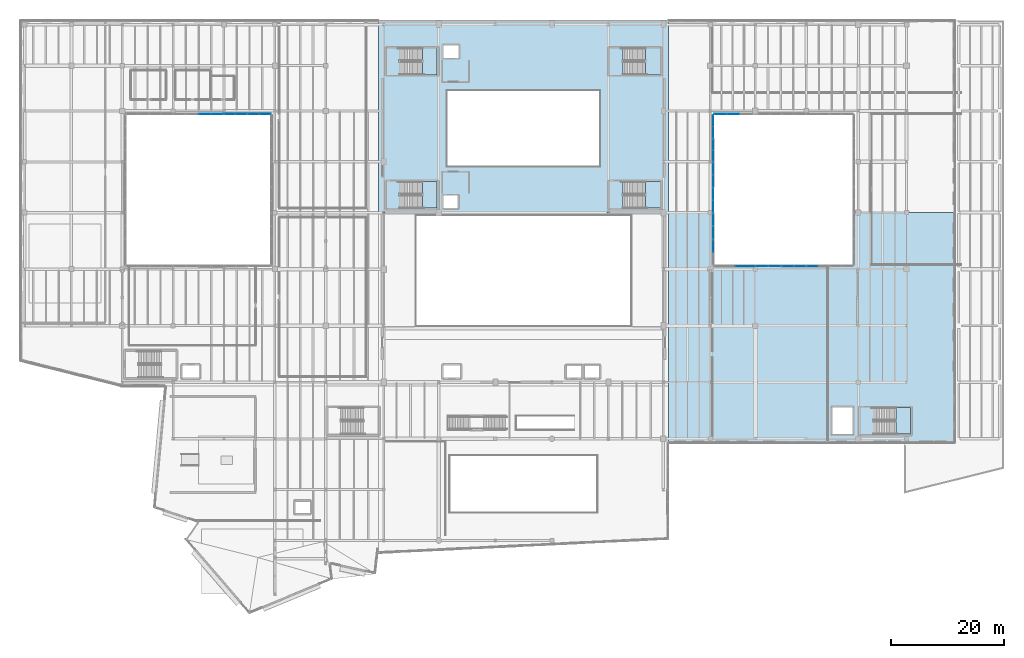
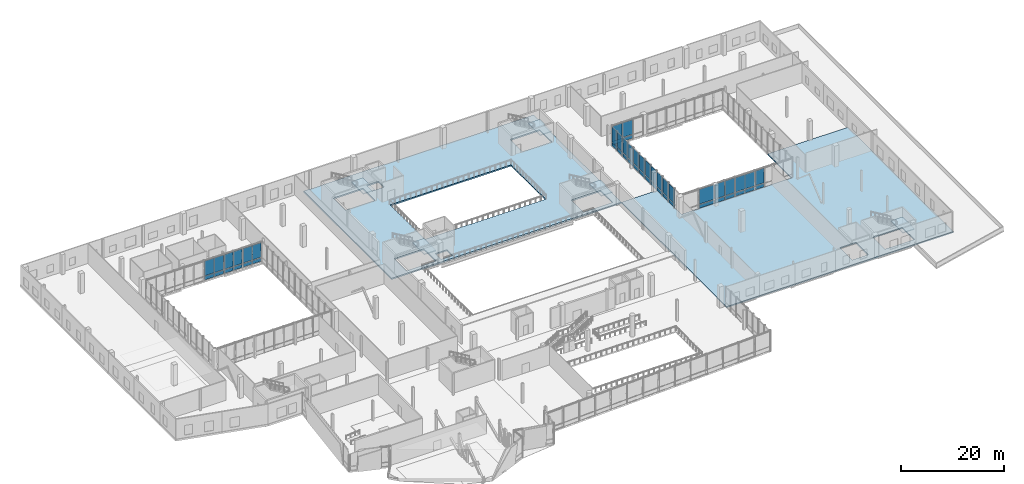
# One storey, part 49 of 73: 50 plates, 7 slabs, 19 elements without a shape of their own.
"""IFC4 building model written with IfcOpenShell, lengths in metres."""

from ifc_helpers import new_model, si_unit, direction, frame, origin, origin_2d, place, context, subcontext, project, spatial, polyline, rectangle, outline, extrude, material, layer, layer_set, type_object, element, aggregate, save


model = new_model("IFC4")

# Units and contexts
model_context = context("Model", 3, precision=1e-05, world=origin(), true_north=direction((0.0, 1.0)))
body_context = subcontext(model_context, "Body", "Model", "MODEL_VIEW")
ifc_project = project(units=[si_unit("LENGTHUNIT", "METRE"), si_unit("AREAUNIT", "SQUARE_METRE"), si_unit("VOLUMEUNIT", "CUBIC_METRE"), si_unit("PLANEANGLEUNIT", "RADIAN"), si_unit("MASSUNIT", "GRAM", prefix="KILO")], contexts=[model_context])

# Site, building, storey
site_placement = place(None, origin())
site = spatial("IfcSite", under=ifc_project, at=site_placement, CompositionType="ELEMENT")
building_placement = place(site_placement, origin())
building = spatial("IfcBuilding", under=site, at=building_placement, Name="Trimount Lyric Opera House", CompositionType="ELEMENT")
storey_placement = place(building_placement, frame((0.0, 0.0, 10.0)))
storey = spatial("IfcBuildingStorey", under=building, at=storey_placement, Name="L02", CompositionType="ELEMENT", Elevation=10.0)

# Curtain wall, plates
ifc_material_1 = material(Name="Thermally Broken Aluminium and Low-E Glass", Category="aluminium")
curtain_wall_type = type_object("IfcCurtainWallType", Name="CW-03", PredefinedType="NOTDEFINED", material=ifc_material_1)
curtain_wall_1_placement = place(storey_placement, origin())
curtain_wall_1 = element("IfcCurtainWall", 1, at=curtain_wall_1_placement, inside=storey, type_object=curtain_wall_type, Name="L02 curtain wall 210", PredefinedType="NOTDEFINED")
ifc_material_2 = material(Name="Triple Low-E Acoustic Laminated Glass", Category="glass")
ifc_layer_1 = layer(ifc_material_2, 0.035888671875)
ifc_layer_set_1 = layer_set([ifc_layer_1], Name="CWP-01")
plate_type_1 = type_object("IfcPlateType", Name="CWP-01", PredefinedType="CURTAIN_PANEL", material=ifc_layer_set_1)
plate_1_placement = place(storey_placement, frame((43.262451171875, 101.4599609375, 0.159912109375), z_axis=(0.0, 0.0, 1.0), x_axis=(-1.0, 0.0, 0.0)))
plate_1 = element("IfcPlate", 2, at=plate_1_placement, type_object=plate_type_1, Name="CW-03 panel 1.1", PredefinedType="CURTAIN_PANEL", context=body_context, shape_type="SweptSolid", body=[
    extrude(rectangle(XDim=1.97509765625, YDim=0.035888671875, at=origin_2d()), origin(), (0.0, 0.0, 1.0), 0.81005859375),
])
plate_2_placement = place(storey_placement, frame((41.217529296875, 101.4599609375, 0.159912109375), z_axis=(0.0, 0.0, 1.0), x_axis=(-1.0, 0.0, 0.0)))
plate_2 = element("IfcPlate", 3, at=plate_2_placement, type_object=plate_type_1, Name="CW-03 panel 2.1", PredefinedType="CURTAIN_PANEL", context=body_context, shape_type="SweptSolid", body=[
    extrude(rectangle(XDim=1.97509765625, YDim=0.035888671875, at=origin_2d()), origin(), (0.0, 0.0, 1.0), 0.81005859375),
])

curtain_wall_2_placement = place(storey_placement, origin())
curtain_wall_2 = element("IfcCurtainWall", 4, at=curtain_wall_2_placement, inside=storey, type_object=curtain_wall_type, Name="L02 curtain wall 211", PredefinedType="NOTDEFINED")
plate_3_placement = place(storey_placement, frame((39.0361328125, 101.4599609375, 0.13525390625), z_axis=(0.0, 0.0, 1.0), x_axis=(-1.0, 0.0, 0.0)))
plate_3 = element("IfcPlate", 5, at=plate_3_placement, type_object=plate_type_1, Name="CW-03 panel 1.1", PredefinedType="CURTAIN_PANEL", context=body_context, shape_type="SweptSolid", body=[
    extrude(rectangle(XDim=1.9375, YDim=0.035888671875, at=origin_2d()), origin(), (0.0, 0.0, 1.0), 0.847412109375),
])
plate_4_placement = place(storey_placement, frame((37.03369140625, 101.4599609375, 0.13525390625), z_axis=(0.0, 0.0, 1.0), x_axis=(-1.0, 0.0, 0.0)))
plate_4 = element("IfcPlate", 6, at=plate_4_placement, type_object=plate_type_1, Name="CW-03 panel 2.1", PredefinedType="CURTAIN_PANEL", context=body_context, shape_type="SweptSolid", body=[
    extrude(rectangle(XDim=1.9375, YDim=0.035888671875, at=origin_2d()), origin(), (0.0, 0.0, 1.0), 0.847412109375),
])

curtain_wall_3_placement = place(storey_placement, origin())
curtain_wall_3 = element("IfcCurtainWall", 7, at=curtain_wall_3_placement, inside=storey, type_object=curtain_wall_type, Name="L02 curtain wall 212", PredefinedType="NOTDEFINED")
plate_5_placement = place(storey_placement, frame((34.79248046875, 101.4599609375, 0.114990234375), z_axis=(0.0, 0.0, 1.0), x_axis=(-1.0, 0.0, 0.0)))
plate_5 = element("IfcPlate", 8, at=plate_5_placement, type_object=plate_type_1, Name="CW-03 panel 1.1", PredefinedType="CURTAIN_PANEL", context=body_context, shape_type="SweptSolid", body=[
    extrude(rectangle(XDim=2.114990234375, YDim=0.035888671875, at=origin_2d()), origin(), (0.0, 0.0, 1.0), 0.87744140625),
])
plate_6_placement = place(storey_placement, frame((32.617431640625, 101.4599609375, 0.114990234375), z_axis=(0.0, 0.0, 1.0), x_axis=(-1.0, 0.0, 0.0)))
plate_6 = element("IfcPlate", 9, at=plate_6_placement, type_object=plate_type_1, Name="CW-03 panel 2.1", PredefinedType="CURTAIN_PANEL", context=body_context, shape_type="SweptSolid", body=[
    extrude(rectangle(XDim=2.114990234375, YDim=0.035888671875, at=origin_2d()), origin(), (0.0, 0.0, 1.0), 0.87744140625),
])

# Curtain wall, plate
curtain_wall_4_placement = place(storey_placement, origin())
curtain_wall_4 = element("IfcCurtainWall", 10, at=curtain_wall_4_placement, inside=storey, type_object=curtain_wall_type, Name="L02 curtain wall 223", PredefinedType="NOTDEFINED")
plate_7_placement = place(storey_placement, frame((128.215087890625, 74.5400390625, 0.13525390625), z_axis=(0.0, 0.0, 1.0), x_axis=(1.0, 0.0, 0.0)))
plate_7 = element("IfcPlate", 11, at=plate_7_placement, type_object=plate_type_1, Name="CW-03 panel 1.1", PredefinedType="CURTAIN_PANEL", context=body_context, shape_type="SweptSolid", body=[
    extrude(rectangle(XDim=3.43994140625, YDim=0.035888671875, at=origin_2d()), origin(), (0.0, 0.0, 1.0), 0.847412109375),
])

# Curtain wall, plates
curtain_wall_5_placement = place(storey_placement, origin())
curtain_wall_5 = element("IfcCurtainWall", 12, at=curtain_wall_5_placement, inside=storey, type_object=curtain_wall_type, Name="L02 curtain wall 224", PredefinedType="NOTDEFINED")
plate_8_placement = place(storey_placement, frame((131.20751953125, 74.5400390625, 0.114990234375), z_axis=(0.0, 0.0, 1.0), x_axis=(1.0, 0.0, 0.0)))
plate_8 = element("IfcPlate", 13, at=plate_8_placement, type_object=plate_type_1, Name="CW-03 panel 1.1", PredefinedType="CURTAIN_PANEL", context=body_context, shape_type="SweptSolid", body=[
    extrude(rectangle(XDim=2.114990234375, YDim=0.035888671875, at=origin_2d()), origin(), (0.0, 0.0, 1.0), 0.87744140625),
])
plate_9_placement = place(storey_placement, frame((133.382568359375, 74.5400390625, 0.114990234375), z_axis=(0.0, 0.0, 1.0), x_axis=(1.0, 0.0, 0.0)))
plate_9 = element("IfcPlate", 14, at=plate_9_placement, type_object=plate_type_1, Name="CW-03 panel 2.1", PredefinedType="CURTAIN_PANEL", context=body_context, shape_type="SweptSolid", body=[
    extrude(rectangle(XDim=2.114990234375, YDim=0.035888671875, at=origin_2d()), origin(), (0.0, 0.0, 1.0), 0.87744140625),
])

curtain_wall_6_placement = place(storey_placement, origin())
curtain_wall_6 = element("IfcCurtainWall", 15, at=curtain_wall_6_placement, inside=storey, type_object=curtain_wall_type, Name="L02 curtain wall 225", PredefinedType="NOTDEFINED")
plate_10_placement = place(storey_placement, frame((135.7099609375, 74.5400390625, 0.159912109375), z_axis=(0.0, 0.0, 1.0), x_axis=(1.0, 0.0, 0.0)))
plate_10 = element("IfcPlate", 16, at=plate_10_placement, type_object=plate_type_1, Name="CW-03 panel 1.1", PredefinedType="CURTAIN_PANEL", context=body_context, shape_type="SweptSolid", body=[
    extrude(rectangle(XDim=2.10009765625, YDim=0.035888671875, at=origin_2d()), origin(), (0.0, 0.0, 1.0), 0.81005859375),
])
plate_11_placement = place(storey_placement, frame((137.8798828125, 74.5400390625, 0.159912109375), z_axis=(0.0, 0.0, 1.0), x_axis=(1.0, 0.0, 0.0)))
plate_11 = element("IfcPlate", 17, at=plate_11_placement, type_object=plate_type_1, Name="CW-03 panel 2.1", PredefinedType="CURTAIN_PANEL", context=body_context, shape_type="SweptSolid", body=[
    extrude(rectangle(XDim=2.10009765625, YDim=0.035888671875, at=origin_2d()), origin(), (0.0, 0.0, 1.0), 0.81005859375),
])

# Curtain wall, plate
curtain_wall_7_placement = place(storey_placement, origin())
curtain_wall_7 = element("IfcCurtainWall", 18, at=curtain_wall_7_placement, inside=storey, type_object=curtain_wall_type, Name="L02 curtain wall 226", PredefinedType="NOTDEFINED")
plate_12_placement = place(storey_placement, frame((140.123779296875, 74.5400390625, 0.13525390625), z_axis=(0.0, 0.0, 1.0), x_axis=(1.0, 0.0, 0.0)))
plate_12 = element("IfcPlate", 19, at=plate_12_placement, type_object=plate_type_1, Name="CW-03 panel 1.1", PredefinedType="CURTAIN_PANEL", context=body_context, shape_type="SweptSolid", body=[
    extrude(rectangle(XDim=1.9375, YDim=0.035888671875, at=origin_2d()), origin(), (0.0, 0.0, 1.0), 0.847412109375),
])

# Curtain wall, plates
curtain_wall_8_placement = place(storey_placement, origin())
curtain_wall_8 = element("IfcCurtainWall", 20, at=curtain_wall_8_placement, inside=storey, type_object=curtain_wall_type, Name="L02 curtain wall 238", PredefinedType="NOTDEFINED")
plate_13_placement = place(storey_placement, frame((126.090087890625, 101.4599609375, 0.13525390625), z_axis=(0.0, 0.0, 1.0), x_axis=(-1.0, 0.0, 0.0)))
plate_13 = element("IfcPlate", 21, at=plate_13_placement, type_object=plate_type_1, Name="CW-03 panel 2.1", PredefinedType="CURTAIN_PANEL", context=body_context, shape_type="SweptSolid", body=[
    extrude(rectangle(XDim=2.208251953125, YDim=0.035888671875, at=origin_2d()), origin(), (0.0, 0.0, 1.0), 0.847412109375),
])
plate_14_placement = place(storey_placement, frame((123.8330078125, 101.4599609375, 0.13525390625), z_axis=(0.0, 0.0, 1.0), x_axis=(-1.0, 0.0, 0.0)))
plate_14 = element("IfcPlate", 22, at=plate_14_placement, type_object=plate_type_1, Name="CW-03 panel 3.1", PredefinedType="CURTAIN_PANEL", context=body_context, shape_type="SweptSolid", body=[
    extrude(rectangle(XDim=2.17578125, YDim=0.035888671875, at=origin_2d()), origin(), (0.0, 0.0, 1.0), 0.847412109375),
])

curtain_wall_9_placement = place(storey_placement, origin())
curtain_wall_9 = element("IfcCurtainWall", 23, at=curtain_wall_9_placement, inside=storey, type_object=curtain_wall_type, Name="L02 curtain wall 239", PredefinedType="NOTDEFINED")
plate_15_placement = place(storey_placement, frame((122.5400390625, 100.264892578125, 0.114990234375), z_axis=(0.0, 0.0, 1.0), x_axis=(0.0, -1.0, 0.0)))
plate_15 = element("IfcPlate", 24, at=plate_15_placement, type_object=plate_type_1, Name="CW-03 panel 1.1", PredefinedType="CURTAIN_PANEL", context=body_context, shape_type="SweptSolid", body=[
    extrude(rectangle(XDim=1.989990234375, YDim=0.035888671875, at=origin_2d()), origin(), (0.0, 0.0, 1.0), 0.87744140625),
])
plate_16_placement = place(storey_placement, frame((122.5400390625, 98.215087890625, 0.114990234375), z_axis=(0.0, 0.0, 1.0), x_axis=(0.0, -1.0, 0.0)))
plate_16 = element("IfcPlate", 25, at=plate_16_placement, type_object=plate_type_1, Name="CW-03 panel 2.1", PredefinedType="CURTAIN_PANEL", context=body_context, shape_type="SweptSolid", body=[
    extrude(rectangle(XDim=1.989990234375, YDim=0.035888671875, at=origin_2d()), origin(), (0.0, 0.0, 1.0), 0.87744140625),
])

curtain_wall_10_placement = place(storey_placement, origin())
curtain_wall_10 = element("IfcCurtainWall", 26, at=curtain_wall_10_placement, inside=storey, type_object=curtain_wall_type, Name="L02 curtain wall 240", PredefinedType="NOTDEFINED")
plate_17_placement = place(storey_placement, frame((122.5400390625, 96.034912109375, 0.159912109375), z_axis=(0.0, 0.0, 1.0), x_axis=(0.0, -1.0, 0.0)))
plate_17 = element("IfcPlate", 27, at=plate_17_placement, type_object=plate_type_1, Name="CW-03 panel 1.1", PredefinedType="CURTAIN_PANEL", context=body_context, shape_type="SweptSolid", body=[
    extrude(rectangle(XDim=1.929931640625, YDim=0.035888671875, at=origin_2d()), origin(), (0.0, 0.0, 1.0), 0.81005859375),
])
plate_18_placement = place(storey_placement, frame((122.5400390625, 94.034912109375, 0.159912109375), z_axis=(0.0, 0.0, 1.0), x_axis=(0.0, -1.0, 0.0)))
plate_18 = element("IfcPlate", 28, at=plate_18_placement, type_object=plate_type_1, Name="CW-03 panel 2.1", PredefinedType="CURTAIN_PANEL", context=body_context, shape_type="SweptSolid", body=[
    extrude(rectangle(XDim=1.929931640625, YDim=0.035888671875, at=origin_2d()), origin(), (0.0, 0.0, 1.0), 0.81005859375),
])

curtain_wall_11_placement = place(storey_placement, origin())
curtain_wall_11 = element("IfcCurtainWall", 29, at=curtain_wall_11_placement, inside=storey, type_object=curtain_wall_type, Name="L02 curtain wall 241", PredefinedType="NOTDEFINED")
plate_19_placement = place(storey_placement, frame((122.5400390625, 91.791259765625, 0.13525390625), z_axis=(0.0, 0.0, 1.0), x_axis=(0.0, -1.0, 0.0)))
plate_19 = element("IfcPlate", 30, at=plate_19_placement, type_object=plate_type_1, Name="CW-03 panel 1.1", PredefinedType="CURTAIN_PANEL", context=body_context, shape_type="SweptSolid", body=[
    extrude(rectangle(XDim=2.107421875, YDim=0.035888671875, at=origin_2d()), origin(), (0.0, 0.0, 1.0), 0.847412109375),
])
plate_20_placement = place(storey_placement, frame((122.5400390625, 89.61865234375, 0.13525390625), z_axis=(0.0, 0.0, 1.0), x_axis=(0.0, -1.0, 0.0)))
plate_20 = element("IfcPlate", 31, at=plate_20_placement, type_object=plate_type_1, Name="CW-03 panel 2.1", PredefinedType="CURTAIN_PANEL", context=body_context, shape_type="SweptSolid", body=[
    extrude(rectangle(XDim=2.107421875, YDim=0.035888671875, at=origin_2d()), origin(), (0.0, 0.0, 1.0), 0.847412109375),
])

curtain_wall_12_placement = place(storey_placement, origin())
curtain_wall_12 = element("IfcCurtainWall", 32, at=curtain_wall_12_placement, inside=storey, type_object=curtain_wall_type, Name="L02 curtain wall 242", PredefinedType="NOTDEFINED")
plate_21_placement = place(storey_placement, frame((122.5400390625, 87.29248046875, 0.114990234375), z_axis=(0.0, 0.0, 1.0), x_axis=(0.0, -1.0, 0.0)))
plate_21 = element("IfcPlate", 33, at=plate_21_placement, type_object=plate_type_1, Name="CW-03 panel 1.1", PredefinedType="CURTAIN_PANEL", context=body_context, shape_type="SweptSolid", body=[
    extrude(rectangle(XDim=2.114990234375, YDim=0.035888671875, at=origin_2d()), origin(), (0.0, 0.0, 1.0), 0.87744140625),
])
plate_22_placement = place(storey_placement, frame((122.5400390625, 85.117431640625, 0.114990234375), z_axis=(0.0, 0.0, 1.0), x_axis=(0.0, -1.0, 0.0)))
plate_22 = element("IfcPlate", 34, at=plate_22_placement, type_object=plate_type_1, Name="CW-03 panel 2.1", PredefinedType="CURTAIN_PANEL", context=body_context, shape_type="SweptSolid", body=[
    extrude(rectangle(XDim=2.114990234375, YDim=0.035888671875, at=origin_2d()), origin(), (0.0, 0.0, 1.0), 0.87744140625),
])

curtain_wall_13_placement = place(storey_placement, origin())
curtain_wall_13 = element("IfcCurtainWall", 35, at=curtain_wall_13_placement, inside=storey, type_object=curtain_wall_type, Name="L02 curtain wall 243", PredefinedType="NOTDEFINED")
plate_23_placement = place(storey_placement, frame((122.5400390625, 82.75, 0.159912109375), z_axis=(0.0, 0.0, 1.0), x_axis=(0.0, -1.0, 0.0)))
plate_23 = element("IfcPlate", 36, at=plate_23_placement, type_object=plate_type_1, Name="CW-03 panel 1.1", PredefinedType="CURTAIN_PANEL", context=body_context, shape_type="SweptSolid", body=[
    extrude(rectangle(XDim=2.179931640625, YDim=0.035888671875, at=origin_2d()), origin(), (0.0, 0.0, 1.0), 0.81005859375),
])
plate_24_placement = place(storey_placement, frame((122.5400390625, 80.5, 0.159912109375), z_axis=(0.0, 0.0, 1.0), x_axis=(0.0, -1.0, 0.0)))
plate_24 = element("IfcPlate", 37, at=plate_24_placement, type_object=plate_type_1, Name="CW-03 panel 2.1", PredefinedType="CURTAIN_PANEL", context=body_context, shape_type="SweptSolid", body=[
    extrude(rectangle(XDim=2.179931640625, YDim=0.035888671875, at=origin_2d()), origin(), (0.0, 0.0, 1.0), 0.81005859375),
])

# Curtain wall, plate
curtain_wall_14_placement = place(storey_placement, origin())
curtain_wall_14 = element("IfcCurtainWall", 38, at=curtain_wall_14_placement, inside=storey, type_object=curtain_wall_type, Name="L02 curtain wall 244", PredefinedType="NOTDEFINED")
plate_25_placement = place(storey_placement, frame((122.5400390625, 78.09130859375, 0.13525390625), z_axis=(0.0, 0.0, 1.0), x_axis=(0.0, -1.0, 0.0)))
plate_25 = element("IfcPlate", 39, at=plate_25_placement, type_object=plate_type_1, Name="CW-03 panel 1.1", PredefinedType="CURTAIN_PANEL", context=body_context, shape_type="SweptSolid", body=[
    extrude(rectangle(XDim=2.1875, YDim=0.035888671875, at=origin_2d()), origin(), (0.0, 0.0, 1.0), 0.847412109375),
])

# Plate
ifc_material_3 = material(Name="Insulated Aluminium Shadow-Box Spandrel Panel", Category="aluminium")
ifc_layer_2 = layer(ifc_material_3, 0.0419921875)
ifc_layer_set_2 = layer_set([ifc_layer_2], Name="CWP-04")
plate_type_2 = type_object("IfcPlateType", Name="CWP-04", PredefinedType="CURTAIN_PANEL", material=ifc_layer_set_2)
plate_26_placement = place(storey_placement, frame((43.262451171875, 101.4599609375, 1.1298828125), z_axis=(0.0, 0.0, 1.0), x_axis=(-1.0, 0.0, 0.0)))
plate_26 = element("IfcPlate", 40, at=plate_26_placement, type_object=plate_type_2, Name="CW-03 panel 1.2", PredefinedType="CURTAIN_PANEL", context=body_context, shape_type="SweptSolid", body=[
    extrude(rectangle(XDim=1.97509765625, YDim=0.035888671875, at=origin_2d()), origin(), (0.0, 0.0, 1.0), 3.429931640625),
])

plate_27_placement = place(storey_placement, frame((41.217529296875, 101.4599609375, 1.1298828125), z_axis=(0.0, 0.0, 1.0), x_axis=(-1.0, 0.0, 0.0)))
plate_27 = element("IfcPlate", 41, at=plate_27_placement, type_object=plate_type_2, Name="CW-03 panel 2.2", PredefinedType="CURTAIN_PANEL", context=body_context, shape_type="SweptSolid", body=[
    extrude(rectangle(XDim=1.97509765625, YDim=0.035888671875, at=origin_2d()), origin(), (0.0, 0.0, 1.0), 3.429931640625),
])

aggregate(curtain_wall_1, [plate_1, plate_26, plate_2, plate_27])

plate_28_placement = place(storey_placement, frame((39.0361328125, 101.4599609375, 1.11767578125), z_axis=(0.0, 0.0, 1.0), x_axis=(-1.0, 0.0, 0.0)))
plate_28 = element("IfcPlate", 42, at=plate_28_placement, type_object=plate_type_2, Name="CW-03 panel 1.2", PredefinedType="CURTAIN_PANEL", context=body_context, shape_type="SweptSolid", body=[
    extrude(rectangle(XDim=1.9375, YDim=0.035888671875, at=origin_2d()), origin(), (0.0, 0.0, 1.0), 3.467529296875),
])

plate_29_placement = place(storey_placement, frame((37.03369140625, 101.4599609375, 1.11767578125), z_axis=(0.0, 0.0, 1.0), x_axis=(-1.0, 0.0, 0.0)))
plate_29 = element("IfcPlate", 43, at=plate_29_placement, type_object=plate_type_2, Name="CW-03 panel 2.2", PredefinedType="CURTAIN_PANEL", context=body_context, shape_type="SweptSolid", body=[
    extrude(rectangle(XDim=1.9375, YDim=0.035888671875, at=origin_2d()), origin(), (0.0, 0.0, 1.0), 3.467529296875),
])

aggregate(curtain_wall_2, [plate_3, plate_28, plate_4, plate_29])

plate_30_placement = place(storey_placement, frame((34.79248046875, 101.4599609375, 1.107421875), z_axis=(0.0, 0.0, 1.0), x_axis=(-1.0, 0.0, 0.0)))
plate_30 = element("IfcPlate", 44, at=plate_30_placement, type_object=plate_type_2, Name="CW-03 panel 1.2", PredefinedType="CURTAIN_PANEL", context=body_context, shape_type="SweptSolid", body=[
    extrude(rectangle(XDim=2.114990234375, YDim=0.035888671875, at=origin_2d()), origin(), (0.0, 0.0, 1.0), 3.49755859375),
])

plate_31_placement = place(storey_placement, frame((32.617431640625, 101.4599609375, 1.107421875), z_axis=(0.0, 0.0, 1.0), x_axis=(-1.0, 0.0, 0.0)))
plate_31 = element("IfcPlate", 45, at=plate_31_placement, type_object=plate_type_2, Name="CW-03 panel 2.2", PredefinedType="CURTAIN_PANEL", context=body_context, shape_type="SweptSolid", body=[
    extrude(rectangle(XDim=2.114990234375, YDim=0.035888671875, at=origin_2d()), origin(), (0.0, 0.0, 1.0), 3.49755859375),
])

aggregate(curtain_wall_3, [plate_5, plate_30, plate_6, plate_31])

plate_32_placement = place(storey_placement, frame((128.215087890625, 74.5400390625, 1.11767578125), z_axis=(0.0, 0.0, 1.0), x_axis=(1.0, 0.0, 0.0)))
plate_32 = element("IfcPlate", 46, at=plate_32_placement, type_object=plate_type_2, Name="CW-03 panel 1.2", PredefinedType="CURTAIN_PANEL", context=body_context, shape_type="SweptSolid", body=[
    extrude(rectangle(XDim=3.43994140625, YDim=0.035888671875, at=origin_2d()), origin(), (0.0, 0.0, 1.0), 3.467529296875),
])

aggregate(curtain_wall_4, [plate_7, plate_32])

plate_33_placement = place(storey_placement, frame((131.20751953125, 74.5400390625, 1.107421875), z_axis=(0.0, 0.0, 1.0), x_axis=(1.0, 0.0, 0.0)))
plate_33 = element("IfcPlate", 47, at=plate_33_placement, type_object=plate_type_2, Name="CW-03 panel 1.2", PredefinedType="CURTAIN_PANEL", context=body_context, shape_type="SweptSolid", body=[
    extrude(rectangle(XDim=2.114990234375, YDim=0.035888671875, at=origin_2d()), origin(), (0.0, 0.0, 1.0), 3.49755859375),
])

plate_34_placement = place(storey_placement, frame((133.382568359375, 74.5400390625, 1.107421875), z_axis=(0.0, 0.0, 1.0), x_axis=(1.0, 0.0, 0.0)))
plate_34 = element("IfcPlate", 48, at=plate_34_placement, type_object=plate_type_2, Name="CW-03 panel 2.2", PredefinedType="CURTAIN_PANEL", context=body_context, shape_type="SweptSolid", body=[
    extrude(rectangle(XDim=2.114990234375, YDim=0.035888671875, at=origin_2d()), origin(), (0.0, 0.0, 1.0), 3.49755859375),
])

aggregate(curtain_wall_5, [plate_8, plate_33, plate_9, plate_34])

plate_35_placement = place(storey_placement, frame((135.7099609375, 74.5400390625, 1.1298828125), z_axis=(0.0, 0.0, 1.0), x_axis=(1.0, 0.0, 0.0)))
plate_35 = element("IfcPlate", 49, at=plate_35_placement, type_object=plate_type_2, Name="CW-03 panel 1.2", PredefinedType="CURTAIN_PANEL", context=body_context, shape_type="SweptSolid", body=[
    extrude(rectangle(XDim=2.10009765625, YDim=0.035888671875, at=origin_2d()), origin(), (0.0, 0.0, 1.0), 3.429931640625),
])

plate_36_placement = place(storey_placement, frame((137.8798828125, 74.5400390625, 1.1298828125), z_axis=(0.0, 0.0, 1.0), x_axis=(1.0, 0.0, 0.0)))
plate_36 = element("IfcPlate", 50, at=plate_36_placement, type_object=plate_type_2, Name="CW-03 panel 2.2", PredefinedType="CURTAIN_PANEL", context=body_context, shape_type="SweptSolid", body=[
    extrude(rectangle(XDim=2.10009765625, YDim=0.035888671875, at=origin_2d()), origin(), (0.0, 0.0, 1.0), 3.429931640625),
])

aggregate(curtain_wall_6, [plate_10, plate_35, plate_11, plate_36])

plate_37_placement = place(storey_placement, frame((140.123779296875, 74.5400390625, 1.11767578125), z_axis=(0.0, 0.0, 1.0), x_axis=(1.0, 0.0, 0.0)))
plate_37 = element("IfcPlate", 51, at=plate_37_placement, type_object=plate_type_2, Name="CW-03 panel 1.2", PredefinedType="CURTAIN_PANEL", context=body_context, shape_type="SweptSolid", body=[
    extrude(rectangle(XDim=1.9375, YDim=0.035888671875, at=origin_2d()), origin(), (0.0, 0.0, 1.0), 3.467529296875),
])

aggregate(curtain_wall_7, [plate_12, plate_37])

plate_38_placement = place(storey_placement, frame((126.090087890625, 101.4599609375, 1.117431640625), z_axis=(0.0, 0.0, 1.0), x_axis=(-1.0, 0.0, 0.0)))
plate_38 = element("IfcPlate", 52, at=plate_38_placement, type_object=plate_type_2, Name="CW-03 panel 2.2", PredefinedType="CURTAIN_PANEL", context=body_context, shape_type="SweptSolid", body=[
    extrude(rectangle(XDim=2.208251953125, YDim=0.035888671875, at=origin_2d()), origin(), (0.0, 0.0, 1.0), 3.45751953125),
])

plate_39_placement = place(storey_placement, frame((123.8330078125, 101.4599609375, 1.117431640625), z_axis=(0.0, 0.0, 1.0), x_axis=(-1.0, 0.0, 0.0)))
plate_39 = element("IfcPlate", 53, at=plate_39_placement, type_object=plate_type_2, Name="CW-03 panel 3.2", PredefinedType="CURTAIN_PANEL", context=body_context, shape_type="SweptSolid", body=[
    extrude(rectangle(XDim=2.17578125, YDim=0.035888671875, at=origin_2d()), origin(), (0.0, 0.0, 1.0), 3.45751953125),
])

aggregate(curtain_wall_8, [plate_13, plate_38, plate_14, plate_39])

plate_40_placement = place(storey_placement, frame((122.5400390625, 100.264892578125, 1.107421875), z_axis=(0.0, 0.0, 1.0), x_axis=(0.0, -1.0, 0.0)))
plate_40 = element("IfcPlate", 54, at=plate_40_placement, type_object=plate_type_2, Name="CW-03 panel 1.2", PredefinedType="CURTAIN_PANEL", context=body_context, shape_type="SweptSolid", body=[
    extrude(rectangle(XDim=1.989990234375, YDim=0.035888671875, at=origin_2d()), origin(), (0.0, 0.0, 1.0), 3.487548828125),
])

plate_41_placement = place(storey_placement, frame((122.5400390625, 98.215087890625, 1.107421875), z_axis=(0.0, 0.0, 1.0), x_axis=(0.0, -1.0, 0.0)))
plate_41 = element("IfcPlate", 55, at=plate_41_placement, type_object=plate_type_2, Name="CW-03 panel 2.2", PredefinedType="CURTAIN_PANEL", context=body_context, shape_type="SweptSolid", body=[
    extrude(rectangle(XDim=1.989990234375, YDim=0.035888671875, at=origin_2d()), origin(), (0.0, 0.0, 1.0), 3.487548828125),
])

aggregate(curtain_wall_9, [plate_15, plate_40, plate_16, plate_41])

plate_42_placement = place(storey_placement, frame((122.5400390625, 96.034912109375, 1.130126953125), z_axis=(0.0, 0.0, 1.0), x_axis=(0.0, -1.0, 0.0)))
plate_42 = element("IfcPlate", 56, at=plate_42_placement, type_object=plate_type_2, Name="CW-03 panel 1.2", PredefinedType="CURTAIN_PANEL", context=body_context, shape_type="SweptSolid", body=[
    extrude(rectangle(XDim=1.929931640625, YDim=0.035888671875, at=origin_2d()), origin(), (0.0, 0.0, 1.0), 3.419921875),
])

plate_43_placement = place(storey_placement, frame((122.5400390625, 94.034912109375, 1.130126953125), z_axis=(0.0, 0.0, 1.0), x_axis=(0.0, -1.0, 0.0)))
plate_43 = element("IfcPlate", 57, at=plate_43_placement, type_object=plate_type_2, Name="CW-03 panel 2.2", PredefinedType="CURTAIN_PANEL", context=body_context, shape_type="SweptSolid", body=[
    extrude(rectangle(XDim=1.929931640625, YDim=0.035888671875, at=origin_2d()), origin(), (0.0, 0.0, 1.0), 3.419921875),
])

aggregate(curtain_wall_10, [plate_17, plate_42, plate_18, plate_43])

plate_44_placement = place(storey_placement, frame((122.5400390625, 91.791259765625, 1.117431640625), z_axis=(0.0, 0.0, 1.0), x_axis=(0.0, -1.0, 0.0)))
plate_44 = element("IfcPlate", 58, at=plate_44_placement, type_object=plate_type_2, Name="CW-03 panel 1.2", PredefinedType="CURTAIN_PANEL", context=body_context, shape_type="SweptSolid", body=[
    extrude(rectangle(XDim=2.107421875, YDim=0.035888671875, at=origin_2d()), origin(), (0.0, 0.0, 1.0), 3.45751953125),
])

plate_45_placement = place(storey_placement, frame((122.5400390625, 89.61865234375, 1.117431640625), z_axis=(0.0, 0.0, 1.0), x_axis=(0.0, -1.0, 0.0)))
plate_45 = element("IfcPlate", 59, at=plate_45_placement, type_object=plate_type_2, Name="CW-03 panel 2.2", PredefinedType="CURTAIN_PANEL", context=body_context, shape_type="SweptSolid", body=[
    extrude(rectangle(XDim=2.107421875, YDim=0.035888671875, at=origin_2d()), origin(), (0.0, 0.0, 1.0), 3.45751953125),
])

aggregate(curtain_wall_11, [plate_19, plate_44, plate_20, plate_45])

plate_46_placement = place(storey_placement, frame((122.5400390625, 87.29248046875, 1.107421875), z_axis=(0.0, 0.0, 1.0), x_axis=(0.0, -1.0, 0.0)))
plate_46 = element("IfcPlate", 60, at=plate_46_placement, type_object=plate_type_2, Name="CW-03 panel 1.2", PredefinedType="CURTAIN_PANEL", context=body_context, shape_type="SweptSolid", body=[
    extrude(rectangle(XDim=2.114990234375, YDim=0.035888671875, at=origin_2d()), origin(), (0.0, 0.0, 1.0), 3.487548828125),
])

plate_47_placement = place(storey_placement, frame((122.5400390625, 85.117431640625, 1.107421875), z_axis=(0.0, 0.0, 1.0), x_axis=(0.0, -1.0, 0.0)))
plate_47 = element("IfcPlate", 61, at=plate_47_placement, type_object=plate_type_2, Name="CW-03 panel 2.2", PredefinedType="CURTAIN_PANEL", context=body_context, shape_type="SweptSolid", body=[
    extrude(rectangle(XDim=2.114990234375, YDim=0.035888671875, at=origin_2d()), origin(), (0.0, 0.0, 1.0), 3.487548828125),
])

aggregate(curtain_wall_12, [plate_21, plate_46, plate_22, plate_47])

plate_48_placement = place(storey_placement, frame((122.5400390625, 82.75, 1.130126953125), z_axis=(0.0, 0.0, 1.0), x_axis=(0.0, -1.0, 0.0)))
plate_48 = element("IfcPlate", 62, at=plate_48_placement, type_object=plate_type_2, Name="CW-03 panel 1.2", PredefinedType="CURTAIN_PANEL", context=body_context, shape_type="SweptSolid", body=[
    extrude(rectangle(XDim=2.179931640625, YDim=0.035888671875, at=origin_2d()), origin(), (0.0, 0.0, 1.0), 3.419921875),
])

plate_49_placement = place(storey_placement, frame((122.5400390625, 80.5, 1.130126953125), z_axis=(0.0, 0.0, 1.0), x_axis=(0.0, -1.0, 0.0)))
plate_49 = element("IfcPlate", 63, at=plate_49_placement, type_object=plate_type_2, Name="CW-03 panel 2.2", PredefinedType="CURTAIN_PANEL", context=body_context, shape_type="SweptSolid", body=[
    extrude(rectangle(XDim=2.179931640625, YDim=0.035888671875, at=origin_2d()), origin(), (0.0, 0.0, 1.0), 3.419921875),
])

aggregate(curtain_wall_13, [plate_23, plate_48, plate_24, plate_49])

plate_50_placement = place(storey_placement, frame((122.5400390625, 78.09130859375, 1.117431640625), z_axis=(0.0, 0.0, 1.0), x_axis=(0.0, -1.0, 0.0)))
plate_50 = element("IfcPlate", 64, at=plate_50_placement, type_object=plate_type_2, Name="CW-03 panel 1.2", PredefinedType="CURTAIN_PANEL", context=body_context, shape_type="SweptSolid", body=[
    extrude(rectangle(XDim=2.1875, YDim=0.035888671875, at=origin_2d()), origin(), (0.0, 0.0, 1.0), 3.45751953125),
])

aggregate(curtain_wall_14, [plate_25, plate_50])

# Slabs
ifc_material_4 = material(Name="Concrete C40/50", Category="concrete")
ifc_layer_3 = layer(ifc_material_4, 0.280029296875)
ifc_layer_set_3 = layer_set([ifc_layer_3], Name="SL-FL280")
slab_type_1 = type_object("IfcSlabType", Name="SL-FL280", PredefinedType="FLOOR", material=ifc_layer_set_3)
slab_1_placement = place(storey_placement, frame((0.0, 0.0, -0.280029296875)))
element("IfcSlab", 65, at=slab_1_placement, inside=storey, type_object=slab_type_1, Name="L02 floor slab L02-EAST-S", PredefinedType="FLOOR", context=body_context, shape_type="SweptSolid", body=[
    extrude(outline(polyline([(114.679931640625, 43.320068359375), (114.679931640625, 84.0), (122.679931640625, 84.0), (122.679931640625, 74.679931640625), (147.320068359375, 74.679931640625), (147.320068359375, 84.0), (165.320068359375, 84.0), (165.320068359375, 43.320068359375), (114.679931640625, 43.320068359375)]), holes=[polyline([(157.5, 49.5), (150.89990234375, 49.5), (150.89990234375, 44.800048828125), (157.5, 44.800048828125), (157.5, 49.5)]), polyline([(147.199951171875, 49.60009765625), (143.60009765625, 49.60009765625), (143.60009765625, 44.800048828125), (147.199951171875, 44.800048828125), (147.199951171875, 49.60009765625)])]), origin(), (0.0, 0.0, 1.0), 0.280029296875),
])
ifc_material_5 = material(Name="Concrete C40/50", Category="concrete")
ifc_layer_4 = layer(ifc_material_5, 0.324951171875)
ifc_layer_set_4 = layer_set([ifc_layer_4], Name="SL-FL325")
slab_type_2 = type_object("IfcSlabType", Name="SL-FL325", PredefinedType="FLOOR", material=ifc_layer_set_4)
slab_2_placement = place(storey_placement, frame((0.0, 0.0, -0.324951171875)))
element("IfcSlab", 66, at=slab_2_placement, inside=storey, type_object=slab_type_2, Name="L02 floor slab L02-VOL1-N", PredefinedType="FLOOR", context=body_context, shape_type="SweptSolid", body=[
    extrude(outline(polyline([(114.679931640625, 118.0), (114.679931640625, 84.0), (63.320068359375, 84.0), (63.320068359375, 118.0), (114.679931640625, 118.0)]), holes=[polyline([(113.199951171875, 84.800048828125), (113.199951171875, 89.5), (106.60009765625, 89.5), (106.60009765625, 84.800048828125), (113.199951171875, 84.800048828125)]), polyline([(113.199951171875, 108.39990234375), (113.199951171875, 113.10009765625), (106.60009765625, 113.10009765625), (106.60009765625, 108.39990234375), (113.199951171875, 108.39990234375)]), polyline([(75.5, 92.199951171875), (102.5, 92.199951171875), (102.5, 105.60009765625), (75.5, 105.60009765625), (75.5, 92.199951171875)]), polyline([(77.5, 113.60009765625), (74.800048828125, 113.60009765625), (74.800048828125, 111.39990234375), (77.5, 111.39990234375), (77.5, 113.60009765625)]), polyline([(77.39990234375, 87.0), (74.800048828125, 87.0), (74.800048828125, 84.800048828125), (77.39990234375, 84.800048828125), (77.39990234375, 87.0)]), polyline([(73.699951171875, 89.5), (67.10009765625, 89.5), (67.10009765625, 84.800048828125), (73.699951171875, 84.800048828125), (73.699951171875, 89.5)]), polyline([(73.699951171875, 113.10009765625), (67.10009765625, 113.10009765625), (67.10009765625, 108.39990234375), (73.699951171875, 108.39990234375), (73.699951171875, 113.10009765625)])]), origin(), (0.0, 0.0, 1.0), 0.324951171875),
])

# Stair, slab
ifc_material_6 = material(Name="Concrete C40/50", Category="concrete")
stair_type = type_object("IfcStairType", Name="STR-CORE-A", PredefinedType="TWO_QUARTER_TURN_STAIR", material=ifc_material_6)
stair_1_placement = place(storey_placement, origin())
stair_1 = element("IfcStair", 67, at=stair_1_placement, inside=storey, type_object=stair_type, Name="L02 Exit Stair ST-01", PredefinedType="TWO_QUARTER_TURN_STAIR")
ifc_material_7 = material(Name="Concrete C40/50", Category="concrete")
ifc_layer_5 = layer(ifc_material_7, 0.199951171875)
ifc_layer_set_5 = layer_set([ifc_layer_5], Name="SL-LND200")
slab_type_3 = type_object("IfcSlabType", Name="SL-LND200", PredefinedType="LANDING", material=ifc_layer_set_5)
slab_3_placement = place(storey_placement, frame((0.0, 0.0, 2.300048828125)))
slab_3 = element("IfcSlab", 68, at=slab_3_placement, type_object=slab_type_3, Name="ST-01 landing 1", PredefinedType="LANDING", context=body_context, shape_type="SweptSolid", body=[
    extrude(outline(polyline([(71.110107421875, 108.39990234375), (73.699951171875, 108.39990234375), (73.699951171875, 113.10009765625), (71.110107421875, 113.10009765625), (71.110107421875, 108.39990234375)])), origin(), (0.0, 0.0, 1.0), 0.199951171875),
])
aggregate(stair_1, [slab_3])

stair_2_placement = place(storey_placement, origin())
stair_2 = element("IfcStair", 69, at=stair_2_placement, inside=storey, type_object=stair_type, Name="L02 Exit Stair ST-02", PredefinedType="TWO_QUARTER_TURN_STAIR")
slab_4_placement = place(storey_placement, frame((0.0, 0.0, 2.300048828125)))
slab_4 = element("IfcSlab", 70, at=slab_4_placement, type_object=slab_type_3, Name="ST-02 landing 1", PredefinedType="LANDING", context=body_context, shape_type="SweptSolid", body=[
    extrude(outline(polyline([(110.610107421875, 108.39990234375), (113.199951171875, 108.39990234375), (113.199951171875, 113.10009765625), (110.610107421875, 113.10009765625), (110.610107421875, 108.39990234375)])), origin(), (0.0, 0.0, 1.0), 0.199951171875),
])
aggregate(stair_2, [slab_4])

stair_3_placement = place(storey_placement, origin())
stair_3 = element("IfcStair", 71, at=stair_3_placement, inside=storey, type_object=stair_type, Name="L02 Exit Stair ST-03", PredefinedType="TWO_QUARTER_TURN_STAIR")
slab_5_placement = place(storey_placement, frame((0.0, 0.0, 2.300048828125)))
slab_5 = element("IfcSlab", 72, at=slab_5_placement, type_object=slab_type_3, Name="ST-03 landing 1", PredefinedType="LANDING", context=body_context, shape_type="SweptSolid", body=[
    extrude(outline(polyline([(71.110107421875, 84.800048828125), (73.699951171875, 84.800048828125), (73.699951171875, 89.5), (71.110107421875, 89.5), (71.110107421875, 84.800048828125)])), origin(), (0.0, 0.0, 1.0), 0.199951171875),
])
aggregate(stair_3, [slab_5])

stair_4_placement = place(storey_placement, origin())
stair_4 = element("IfcStair", 73, at=stair_4_placement, inside=storey, type_object=stair_type, Name="L02 Exit Stair ST-04", PredefinedType="TWO_QUARTER_TURN_STAIR")
slab_6_placement = place(storey_placement, frame((0.0, 0.0, 2.300048828125)))
slab_6 = element("IfcSlab", 74, at=slab_6_placement, type_object=slab_type_3, Name="ST-04 landing 1", PredefinedType="LANDING", context=body_context, shape_type="SweptSolid", body=[
    extrude(outline(polyline([(110.610107421875, 84.800048828125), (113.199951171875, 84.800048828125), (113.199951171875, 89.5), (110.610107421875, 89.5), (110.610107421875, 84.800048828125)])), origin(), (0.0, 0.0, 1.0), 0.199951171875),
])
aggregate(stair_4, [slab_6])

stair_5_placement = place(storey_placement, origin())
stair_5 = element("IfcStair", 75, at=stair_5_placement, inside=storey, type_object=stair_type, Name="L02 Exit Stair ST-05", PredefinedType="TWO_QUARTER_TURN_STAIR")
slab_7_placement = place(storey_placement, frame((0.0, 0.0, 2.300048828125)))
slab_7 = element("IfcSlab", 76, at=slab_7_placement, type_object=slab_type_3, Name="ST-05 landing 1", PredefinedType="LANDING", context=body_context, shape_type="SweptSolid", body=[
    extrude(outline(polyline([(154.909912109375, 44.800048828125), (157.5, 44.800048828125), (157.5, 49.5), (154.909912109375, 49.5), (154.909912109375, 44.800048828125)])), origin(), (0.0, 0.0, 1.0), 0.199951171875),
])
aggregate(stair_5, [slab_7])

save(model, "model.ifc")
